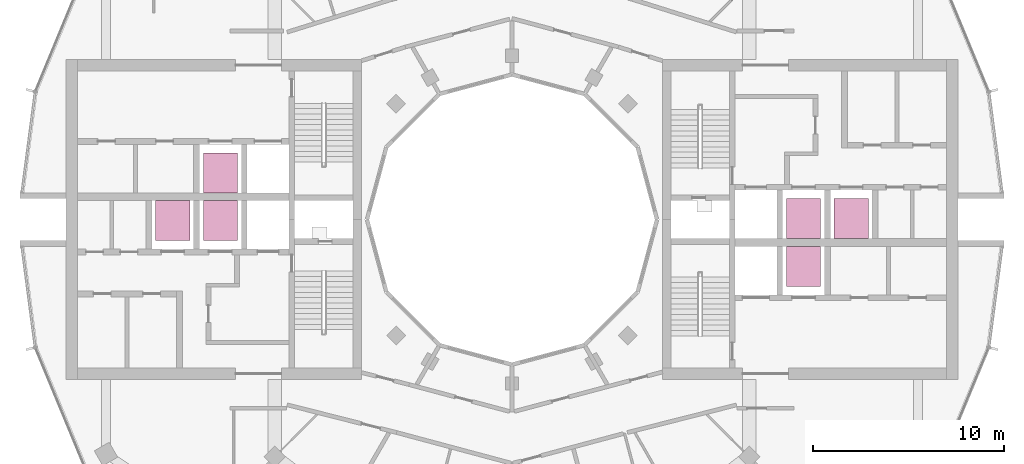
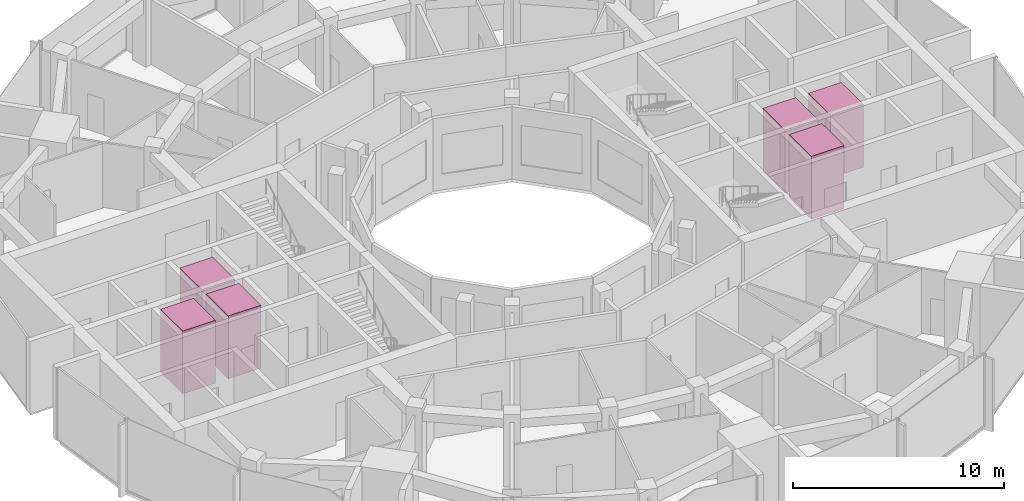
# One storey, part 15 of 15: 6 transport elements.
"""IFC4 building model written with IfcOpenShell, lengths in metres."""

from ifc_helpers import new_model, si_unit, direction, frame, origin, origin_2d, place, context, subcontext, project, spatial, rectangle, extrude, material, type_object, element, save


model = new_model("IFC4")

# Units and contexts
model_context = context("Model", 3, precision=1e-05, world=origin(), true_north=direction((0.0, 1.0)))
body_context = subcontext(model_context, "Body", "Model", "MODEL_VIEW")
ifc_project = project(units=[si_unit("LENGTHUNIT", "METRE"), si_unit("AREAUNIT", "SQUARE_METRE"), si_unit("VOLUMEUNIT", "CUBIC_METRE"), si_unit("PLANEANGLEUNIT", "RADIAN"), si_unit("MASSUNIT", "GRAM", prefix="KILO")], contexts=[model_context])

# Site, building, storey
site_placement = place(None, origin())
site = spatial("IfcSite", under=ifc_project, at=site_placement, CompositionType="ELEMENT")
building_placement = place(site_placement, origin())
building = spatial("IfcBuilding", under=site, at=building_placement, Name="Torre Brocal", CompositionType="ELEMENT")
storey_placement = place(building_placement, frame((0.0, 0.0, 237.300048828125)))
storey = spatial("IfcBuildingStorey", under=building, at=storey_placement, Name="L54", CompositionType="ELEMENT", Elevation=237.300048828125)

# Transport elements
ifc_material = material(Name="Stainless steel AISI 316", Category="steel")
transport_element_type = type_object("IfcTransportElementType", Name="PASSENGER LIFT", PredefinedType="ELEVATOR", material=ifc_material)
for number, where, z_axis, x_axis, name in (
    (1, (95.300048828125, 75.050048828125, 0.0), (0.0, 0.0, 1.0), (1.0, 0.0, 0.0), "HIGH RISE LIFT E-HR1"),
    (2, (95.300048828125, 72.550048828125, 0.0), (0.0, 0.0, 1.0), (1.0, 0.0, 0.0), "HIGH RISE LIFT E-HR2"),
    (3, (97.800048828125, 75.050048828125, 0.0), (0.0, 0.0, 1.0), (1.0, 0.0, 0.0), "HIGH RISE LIFT E-HR3"),
    (4, (64.699951171875, 74.949951171875, 0.0), (0.0, 0.0, 1.0), (1.0, 0.0, 0.0), "HIGH RISE LIFT W-HR1"),
    (5, (64.699951171875, 77.449951171875, 0.0), (0.0, 0.0, 1.0), (1.0, 0.0, 0.0), "HIGH RISE LIFT W-HR2"),
    (6, (62.199951171875, 74.949951171875, 0.0), (0.0, 0.0, 1.0), (1.0, 0.0, 0.0), "HIGH RISE LIFT W-HR3"),
):
    element("IfcTransportElement", number, at=place(storey_placement, frame(where, z_axis=z_axis, x_axis=x_axis)), inside=storey, type_object=transport_element_type, Name=name, PredefinedType="ELEVATOR", context=body_context, shape_type="SweptSolid", body=[
        extrude(rectangle(XDim=1.800048828125, YDim=2.10009765625, at=origin_2d()), origin(), (0.0, 0.0, 1.0), 3.64990234375),
    ])

save(model, "model.ifc")
